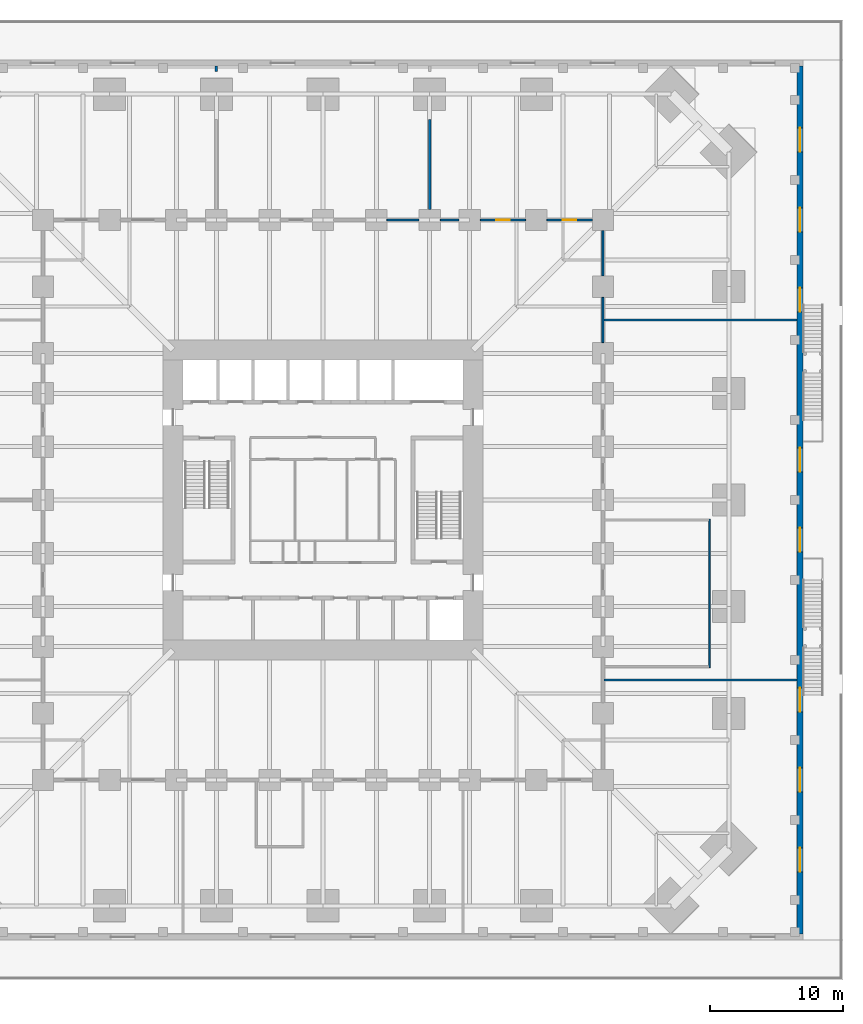
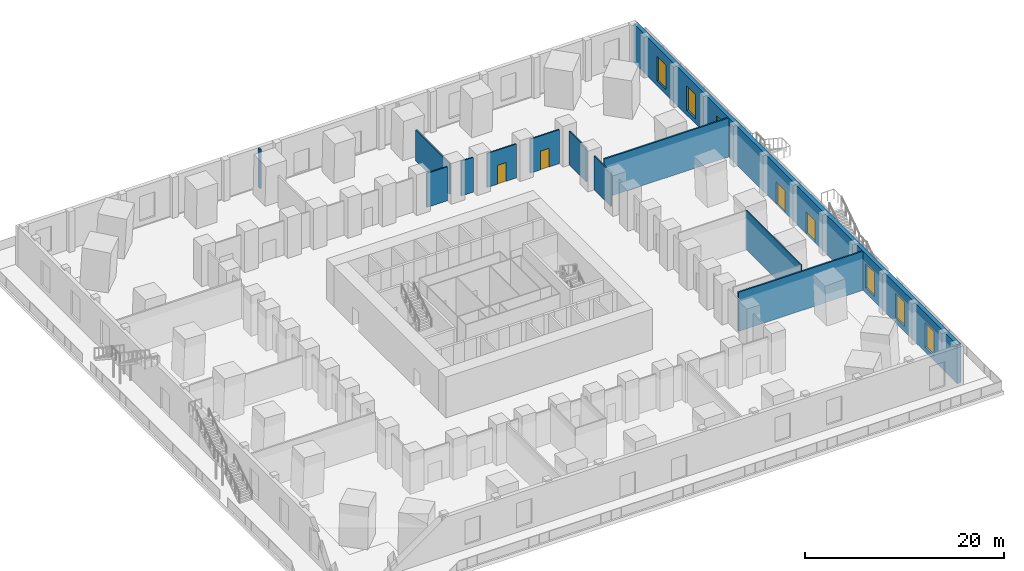
# One storey, part 14 of 20: 12 walls, 6 windows, 4 doors, 10 openings.
"""IFC4 building model written with IfcOpenShell, lengths in metres."""

from ifc_helpers import new_model, si_unit, direction, frame, frame_2d, origin, place, context, subcontext, project, spatial, rectangle, extrude, material, layer, layer_set, type_object, element, fill, save


model = new_model("IFC4")

# Units and contexts
model_context = context("Model", 3, precision=1e-05, world=origin(), true_north=direction((0.0, 1.0)))
body_context = subcontext(model_context, "Body", "Model", "MODEL_VIEW")
ifc_project = project(units=[si_unit("LENGTHUNIT", "METRE"), si_unit("AREAUNIT", "SQUARE_METRE"), si_unit("VOLUMEUNIT", "CUBIC_METRE"), si_unit("PLANEANGLEUNIT", "RADIAN"), si_unit("MASSUNIT", "GRAM", prefix="KILO")], contexts=[model_context])

# Site, building, storey
site_placement = place(None, origin())
site = spatial("IfcSite", under=ifc_project, at=site_placement, CompositionType="ELEMENT")
building_placement = place(site_placement, origin())
building = spatial("IfcBuilding", under=site, at=building_placement, Name="Peilmerk Tower", CompositionType="ELEMENT")
storey_placement = place(building_placement, frame((0.0, 0.0, 11.0)))
storey = spatial("IfcBuildingStorey", under=building, at=storey_placement, Name="L02", CompositionType="ELEMENT", Elevation=11.0)

# Wall, openings, doors, windows
ifc_material_1 = material(Name="Precast concrete C45/55, board-marked finish", Category="concrete")
ifc_layer_1 = layer(ifc_material_1, 0.449951171875)
ifc_layer_set_1 = layer_set([ifc_layer_1], Name="Precast concrete C45/55, board-marked finish")
wall_type_1 = type_object("IfcWallType", Name="EW1 450 precast concrete facade wall, board-marked", PredefinedType="SOLIDWALL", material=ifc_layer_set_1)
wall_1_placement = place(storey_placement, frame((35.77490234375, 32.550048828125, 0.0), z_axis=(0.0, 0.0, 1.0), x_axis=(0.0, -1.0, 0.0)))
wall_1 = element("IfcWall", 1, at=wall_1_placement, inside=storey, type_object=wall_type_1, Name="Facade wall E L02", PredefinedType="SOLIDWALL", context=body_context, shape_type="SweptSolid", body=[
    extrude(rectangle(XDim=65.10009765625, YDim=0.449951171875, at=frame_2d((32.550048828125, 0.0))), origin(), (0.0, 0.0, 1.0), 4.800048828125),
])
opening_1_placement = place(wall_1_placement, frame((4.64990234375, 0.0, 0.60009765625)))
opening_1 = element("IfcOpeningElement", 2, at=opening_1_placement, cuts=wall_1, Name="Opening W7", PredefinedType="OPENING", context=body_context, shape_type="SweptSolid", body=[
    extrude(rectangle(XDim=1.800048828125, YDim=3.0, at=frame_2d((0.89990234375, 1.5))), frame((0.0, 0.23486328125, 0.0), z_axis=(0.0, -1.0, 0.0), x_axis=(1.0, 0.0, 0.0)), (0.0, 0.0, 1.0), 0.469970703125),
])
opening_2_placement = place(wall_1_placement, frame((10.64990234375, 0.0, 0.60009765625)))
opening_2 = element("IfcOpeningElement", 3, at=opening_2_placement, cuts=wall_1, Name="Opening W7", PredefinedType="OPENING", context=body_context, shape_type="SweptSolid", body=[
    extrude(rectangle(XDim=1.800048828125, YDim=3.0, at=frame_2d((0.89990234375, 1.5))), frame((0.0, 0.23486328125, 0.0), z_axis=(0.0, -1.0, 0.0), x_axis=(1.0, 0.0, 0.0)), (0.0, 0.0, 1.0), 0.469970703125),
])
opening_3_placement = place(wall_1_placement, frame((16.64990234375, 0.0, 0.60009765625)))
opening_3 = element("IfcOpeningElement", 4, at=opening_3_placement, cuts=wall_1, Name="Opening W7", PredefinedType="OPENING", context=body_context, shape_type="SweptSolid", body=[
    extrude(rectangle(XDim=1.800048828125, YDim=3.0, at=frame_2d((0.89990234375, 1.5))), frame((0.0, 0.23486328125, 0.0), z_axis=(0.0, -1.0, 0.0), x_axis=(1.0, 0.0, 0.0)), (0.0, 0.0, 1.0), 0.469970703125),
])
opening_4_placement = place(wall_1_placement, frame((46.64990234375, 0.0, 0.60009765625)))
opening_4 = element("IfcOpeningElement", 5, at=opening_4_placement, cuts=wall_1, Name="Opening W7", PredefinedType="OPENING", context=body_context, shape_type="SweptSolid", body=[
    extrude(rectangle(XDim=1.800048828125, YDim=3.0, at=frame_2d((0.89990234375, 1.5))), frame((0.0, 0.23486328125, 0.0), z_axis=(0.0, -1.0, 0.0), x_axis=(1.0, 0.0, 0.0)), (0.0, 0.0, 1.0), 0.469970703125),
])
opening_5_placement = place(wall_1_placement, frame((52.64990234375, 0.0, 0.60009765625)))
opening_5 = element("IfcOpeningElement", 6, at=opening_5_placement, cuts=wall_1, Name="Opening W7", PredefinedType="OPENING", context=body_context, shape_type="SweptSolid", body=[
    extrude(rectangle(XDim=1.800048828125, YDim=3.0, at=frame_2d((0.89990234375, 1.5))), frame((0.0, 0.23486328125, 0.0), z_axis=(0.0, -1.0, 0.0), x_axis=(1.0, 0.0, 0.0)), (0.0, 0.0, 1.0), 0.469970703125),
])
opening_6_placement = place(wall_1_placement, frame((58.64990234375, 0.0, 0.60009765625)))
opening_6 = element("IfcOpeningElement", 7, at=opening_6_placement, cuts=wall_1, Name="Opening W7", PredefinedType="OPENING", context=body_context, shape_type="SweptSolid", body=[
    extrude(rectangle(XDim=1.800048828125, YDim=3.0, at=frame_2d((0.89990234375, 1.5))), frame((0.0, 0.23486328125, 0.0), z_axis=(0.0, -1.0, 0.0), x_axis=(1.0, 0.0, 0.0)), (0.0, 0.0, 1.0), 0.469970703125),
])
opening_7_placement = place(wall_1_placement, frame((28.64990234375, 0.0, 0.0)))
opening_7 = element("IfcOpeningElement", 8, at=opening_7_placement, cuts=wall_1, Name="Opening ED4", PredefinedType="OPENING", context=body_context, shape_type="SweptSolid", body=[
    extrude(rectangle(XDim=1.800048828125, YDim=2.699951171875, at=frame_2d((0.89990234375, 1.35009765625))), frame((0.0, 0.23486328125, 0.0), z_axis=(0.0, -1.0, 0.0), x_axis=(1.0, 0.0, 0.0)), (0.0, 0.0, 1.0), 0.469970703125),
])
opening_8_placement = place(wall_1_placement, frame((34.64990234375, 0.0, 0.0)))
opening_8 = element("IfcOpeningElement", 9, at=opening_8_placement, cuts=wall_1, Name="Opening ED4", PredefinedType="OPENING", context=body_context, shape_type="SweptSolid", body=[
    extrude(rectangle(XDim=1.800048828125, YDim=2.699951171875, at=frame_2d((0.89990234375, 1.35009765625))), frame((0.0, 0.23486328125, 0.0), z_axis=(0.0, -1.0, 0.0), x_axis=(1.0, 0.0, 0.0)), (0.0, 0.0, 1.0), 0.469970703125),
])
ifc_material_2 = material(Name="Aluminium frame, clear glazing", Category="aluminium")
door_type_1 = type_object("IfcDoorType", Name="ED4 1800x2700 terrace door pair, glazed", OperationType="DOUBLE_DOOR_DOUBLE_SWING", PredefinedType="DOOR", material=ifc_material_2)
door_1_placement = place(opening_7_placement, origin())
door_1 = element("IfcDoor", 10, at=door_1_placement, inside=storey, type_object=door_type_1, Name="Terrace door pair, glazed L02", OperationType="DOUBLE_DOOR_DOUBLE_SWING", OverallHeight=2.699951171875, OverallWidth=1.800048828125, PredefinedType="DOOR", context=body_context, shape_type="SweptSolid", body=[
    extrude(rectangle(XDim=1.800048828125, YDim=2.699951171875, at=frame_2d((0.89990234375, 1.35009765625))), frame((0.0, 0.02490234375, 0.0), z_axis=(0.0, -1.0, 0.0), x_axis=(1.0, 0.0, 0.0)), (0.0, 0.0, 1.0), 0.050048828125),
])
fill(opening_7, door_1)
door_2_placement = place(opening_8_placement, origin())
door_2 = element("IfcDoor", 11, at=door_2_placement, inside=storey, type_object=door_type_1, Name="Terrace door pair, glazed L02", OperationType="DOUBLE_DOOR_DOUBLE_SWING", OverallHeight=2.699951171875, OverallWidth=1.800048828125, PredefinedType="DOOR", context=body_context, shape_type="SweptSolid", body=[
    extrude(rectangle(XDim=1.800048828125, YDim=2.699951171875, at=frame_2d((0.89990234375, 1.35009765625))), frame((0.0, 0.02490234375, 0.0), z_axis=(0.0, -1.0, 0.0), x_axis=(1.0, 0.0, 0.0)), (0.0, 0.0, 1.0), 0.050048828125),
])
fill(opening_8, door_2)
ifc_material_3 = material(Name="Aluminium frame, clear double glazing", Category="aluminium")
window_type = type_object("IfcWindowType", Name="W7 1800x3000 podium window", PartitioningType="SINGLE_PANEL", PredefinedType="WINDOW", material=ifc_material_3)
window_1_placement = place(opening_1_placement, origin())
window_1 = element("IfcWindow", 12, at=window_1_placement, inside=storey, type_object=window_type, Name="Window W7 L02", OverallHeight=3.0, OverallWidth=1.800048828125, PartitioningType="SINGLE_PANEL", PredefinedType="WINDOW", context=body_context, shape_type="SweptSolid", body=[
    extrude(rectangle(XDim=1.800048828125, YDim=3.0, at=frame_2d((0.89990234375, 1.5))), frame((0.0, 0.030029296875, 0.0), z_axis=(0.0, -1.0, 0.0), x_axis=(1.0, 0.0, 0.0)), (0.0, 0.0, 1.0), 0.06005859375),
])
fill(opening_1, window_1)
window_2_placement = place(opening_2_placement, origin())
window_2 = element("IfcWindow", 13, at=window_2_placement, inside=storey, type_object=window_type, Name="Window W7 L02", OverallHeight=3.0, OverallWidth=1.800048828125, PartitioningType="SINGLE_PANEL", PredefinedType="WINDOW", context=body_context, shape_type="SweptSolid", body=[
    extrude(rectangle(XDim=1.800048828125, YDim=3.0, at=frame_2d((0.89990234375, 1.5))), frame((0.0, 0.030029296875, 0.0), z_axis=(0.0, -1.0, 0.0), x_axis=(1.0, 0.0, 0.0)), (0.0, 0.0, 1.0), 0.06005859375),
])
fill(opening_2, window_2)
window_3_placement = place(opening_3_placement, origin())
window_3 = element("IfcWindow", 14, at=window_3_placement, inside=storey, type_object=window_type, Name="Window W7 L02", OverallHeight=3.0, OverallWidth=1.800048828125, PartitioningType="SINGLE_PANEL", PredefinedType="WINDOW", context=body_context, shape_type="SweptSolid", body=[
    extrude(rectangle(XDim=1.800048828125, YDim=3.0, at=frame_2d((0.89990234375, 1.5))), frame((0.0, 0.030029296875, 0.0), z_axis=(0.0, -1.0, 0.0), x_axis=(1.0, 0.0, 0.0)), (0.0, 0.0, 1.0), 0.06005859375),
])
fill(opening_3, window_3)
window_4_placement = place(opening_4_placement, origin())
window_4 = element("IfcWindow", 15, at=window_4_placement, inside=storey, type_object=window_type, Name="Window W7 L02", OverallHeight=3.0, OverallWidth=1.800048828125, PartitioningType="SINGLE_PANEL", PredefinedType="WINDOW", context=body_context, shape_type="SweptSolid", body=[
    extrude(rectangle(XDim=1.800048828125, YDim=3.0, at=frame_2d((0.89990234375, 1.5))), frame((0.0, 0.030029296875, 0.0), z_axis=(0.0, -1.0, 0.0), x_axis=(1.0, 0.0, 0.0)), (0.0, 0.0, 1.0), 0.06005859375),
])
fill(opening_4, window_4)
window_5_placement = place(opening_5_placement, origin())
window_5 = element("IfcWindow", 16, at=window_5_placement, inside=storey, type_object=window_type, Name="Window W7 L02", OverallHeight=3.0, OverallWidth=1.800048828125, PartitioningType="SINGLE_PANEL", PredefinedType="WINDOW", context=body_context, shape_type="SweptSolid", body=[
    extrude(rectangle(XDim=1.800048828125, YDim=3.0, at=frame_2d((0.89990234375, 1.5))), frame((0.0, 0.030029296875, 0.0), z_axis=(0.0, -1.0, 0.0), x_axis=(1.0, 0.0, 0.0)), (0.0, 0.0, 1.0), 0.06005859375),
])
fill(opening_5, window_5)
window_6_placement = place(opening_6_placement, origin())
window_6 = element("IfcWindow", 17, at=window_6_placement, inside=storey, type_object=window_type, Name="Window W7 L02", OverallHeight=3.0, OverallWidth=1.800048828125, PartitioningType="SINGLE_PANEL", PredefinedType="WINDOW", context=body_context, shape_type="SweptSolid", body=[
    extrude(rectangle(XDim=1.800048828125, YDim=3.0, at=frame_2d((0.89990234375, 1.5))), frame((0.0, 0.030029296875, 0.0), z_axis=(0.0, -1.0, 0.0), x_axis=(1.0, 0.0, 0.0)), (0.0, 0.0, 1.0), 0.06005859375),
])
fill(opening_6, window_6)

# Walls
ifc_material_4 = material(Name="Calcium silicate block", Category="masonry")
ifc_layer_2 = layer(ifc_material_4, 0.14990234375)
ifc_layer_set_2 = layer_set([ifc_layer_2], Name="Calcium silicate block")
wall_type_2 = type_object("IfcWallType", Name="IW1 150 corridor partition, EI 60", PredefinedType="PARTITIONING", material=ifc_layer_set_2)
wall_2_placement = place(storey_placement, frame((4.800048828125, 21.0, 0.0), z_axis=(0.0, 0.0, 1.0), x_axis=(1.0, 0.0, 0.0)))
element("IfcWall", 18, at=wall_2_placement, inside=storey, type_object=wall_type_2, Name="Corridor wall Ng L02", PredefinedType="PARTITIONING", context=body_context, shape_type="SweptSolid", body=[
    extrude(rectangle(XDim=2.39990234375, YDim=0.14990234375, at=frame_2d((1.199951171875, 0.0))), origin(), (0.0, 0.0, 1.0), 4.179931640625),
])
wall_3_placement = place(storey_placement, frame((8.800048828125, 21.0, 0.0), z_axis=(0.0, 0.0, 1.0), x_axis=(1.0, 0.0, 0.0)))
element("IfcWall", 19, at=wall_3_placement, inside=storey, type_object=wall_type_2, Name="Corridor wall Nh L02", PredefinedType="PARTITIONING", context=body_context, shape_type="SweptSolid", body=[
    extrude(rectangle(XDim=1.39990234375, YDim=0.14990234375, at=frame_2d((0.699951171875, 0.0))), origin(), (0.0, 0.0, 1.0), 4.27587890625),
])

# Wall, opening, door
wall_4_placement = place(storey_placement, frame((11.800048828125, 21.0, 0.0), z_axis=(0.0, 0.0, 1.0), x_axis=(1.0, 0.0, 0.0)))
wall_4 = element("IfcWall", 20, at=wall_4_placement, inside=storey, type_object=wall_type_2, Name="Corridor wall Ni L02", PredefinedType="PARTITIONING", context=body_context, shape_type="SweptSolid", body=[
    extrude(rectangle(XDim=3.39990234375, YDim=0.14990234375, at=frame_2d((1.699951171875, 0.0))), origin(), (0.0, 0.0, 1.0), 4.179931640625),
])
opening_9_placement = place(wall_4_placement, frame((1.199951171875, 0.0, 0.0)))
opening_9 = element("IfcOpeningElement", 21, at=opening_9_placement, cuts=wall_4, Name="Opening D1", PredefinedType="OPENING", context=body_context, shape_type="SweptSolid", body=[
    extrude(rectangle(XDim=1.0, YDim=2.300048828125, at=frame_2d((0.5, 1.14990234375))), frame((0.0, 0.0849609375, 0.0), z_axis=(0.0, -1.0, 0.0), x_axis=(1.0, 0.0, 0.0)), (0.0, 0.0, 1.0), 0.169921875),
])
ifc_material_5 = material(Name="Timber door in steel frame", Category="steel")
door_type_2 = type_object("IfcDoorType", Name="D1 1000x2300 room door, EI2 30", OperationType="SINGLE_SWING_LEFT", PredefinedType="DOOR", material=ifc_material_5)
door_3_placement = place(opening_9_placement, origin())
door_3 = element("IfcDoor", 22, at=door_3_placement, inside=storey, type_object=door_type_2, Name="Door Exhibition room L02", OperationType="SINGLE_SWING_LEFT", OverallHeight=2.300048828125, OverallWidth=1.0, PredefinedType="DOOR", context=body_context, shape_type="SweptSolid", body=[
    extrude(rectangle(XDim=1.0, YDim=2.300048828125, at=frame_2d((0.5, 1.14990234375))), frame((0.0, 0.02490234375, 0.0), z_axis=(0.0, -1.0, 0.0), x_axis=(1.0, 0.0, 0.0)), (0.0, 0.0, 1.0), 0.050048828125),
])
fill(opening_9, door_3)

wall_5_placement = place(storey_placement, frame((16.800048828125, 21.0, 0.0), z_axis=(0.0, 0.0, 1.0), x_axis=(1.0, 0.0, 0.0)))
wall_5 = element("IfcWall", 23, at=wall_5_placement, inside=storey, type_object=wall_type_2, Name="Corridor wall Nj L02", PredefinedType="PARTITIONING", context=body_context, shape_type="SweptSolid", body=[
    extrude(rectangle(XDim=3.39990234375, YDim=0.14990234375, at=frame_2d((1.699951171875, 0.0))), origin(), (0.0, 0.0, 1.0), 4.179931640625),
])
opening_10_placement = place(wall_5_placement, frame((1.199951171875, 0.0, 0.0)))
opening_10 = element("IfcOpeningElement", 24, at=opening_10_placement, cuts=wall_5, Name="Opening D1", PredefinedType="OPENING", context=body_context, shape_type="SweptSolid", body=[
    extrude(rectangle(XDim=1.0, YDim=2.300048828125, at=frame_2d((0.5, 1.14990234375))), frame((0.0, 0.0849609375, 0.0), z_axis=(0.0, -1.0, 0.0), x_axis=(1.0, 0.0, 0.0)), (0.0, 0.0, 1.0), 0.169921875),
])
door_4_placement = place(opening_10_placement, origin())
door_4 = element("IfcDoor", 25, at=door_4_placement, inside=storey, type_object=door_type_2, Name="Door Exhibition room L02", OperationType="SINGLE_SWING_LEFT", OverallHeight=2.300048828125, OverallWidth=1.0, PredefinedType="DOOR", context=body_context, shape_type="SweptSolid", body=[
    extrude(rectangle(XDim=1.0, YDim=2.300048828125, at=frame_2d((0.5, 1.14990234375))), frame((0.0, 0.02490234375, 0.0), z_axis=(0.0, -1.0, 0.0), x_axis=(1.0, 0.0, 0.0)), (0.0, 0.0, 1.0), 0.050048828125),
])
fill(opening_10, door_4)

# Walls
for number, where, z_axis, x_axis, name in (
    (26, (21.0, 11.800048828125, 0.0), (0.0, 0.0, 1.0), (0.0, 1.0, 0.0), "Corridor wall Ei L02"),
    (27, (21.0, 16.800048828125, 0.0), (0.0, 0.0, 1.0), (0.0, 1.0, 0.0), "Corridor wall Ej L02"),
):
    element("IfcWall", number, at=place(storey_placement, frame(where, z_axis=z_axis, x_axis=x_axis)), inside=storey, type_object=wall_type_2, Name=name, PredefinedType="PARTITIONING", context=body_context, shape_type="SweptSolid", body=[
        extrude(rectangle(XDim=3.39990234375, YDim=0.14990234375, at=frame_2d((1.699951171875, 0.0))), origin(), (0.0, 0.0, 1.0), 4.179931640625),
    ])
ifc_material_6 = material(Name="Plasterboard on steel studs, double boarded with mineral wool", Category="steel")
ifc_layer_3 = layer(ifc_material_6, 0.125)
ifc_layer_set_3 = layer_set([ifc_layer_3], Name="Plasterboard on steel studs, double boarded with mineral wool")
wall_type_3 = type_object("IfcWallType", Name="IW7 125 acoustic partition, EI 30", PredefinedType="PARTITIONING", material=ifc_layer_set_3)
wall_6_placement = place(storey_placement, frame((29.0, -12.5625, 0.0), z_axis=(0.0, 0.0, 1.0), x_axis=(0.0, 1.0, 0.0)))
element("IfcWall", 28, at=wall_6_placement, inside=storey, type_object=wall_type_3, Name="Acoustic partition Training room L02", PredefinedType="PARTITIONING", context=body_context, shape_type="SweptSolid", body=[
    extrude(rectangle(XDim=11.125, YDim=0.125, at=frame_2d((5.5625, 0.0))), origin(), (0.0, 0.0, 1.0), 4.800048828125),
])
ifc_layer_4 = layer(ifc_material_4, 0.175048828125)
ifc_layer_set_4 = layer_set([ifc_layer_4], Name="Calcium silicate block")
wall_type_4 = type_object("IfcWallType", Name="IW8 175 tenant separating wall, EI 60", PredefinedType="PARTITIONING", material=ifc_layer_set_4)
for number, where, z_axis, x_axis, name in (
    (29, (21.074951171875, 13.5, 0.0), (0.0, 0.0, 1.0), (1.0, 0.0, 0.0), "Tenant separating wall NE L02"),
    (30, (35.550048828125, -13.5, 0.0), (0.0, 0.0, 1.0), (-1.0, 0.0, 0.0), "Tenant separating wall SE L02"),
):
    element("IfcWall", number, at=place(storey_placement, frame(where, z_axis=z_axis, x_axis=x_axis)), inside=storey, type_object=wall_type_4, Name=name, PredefinedType="PARTITIONING", context=body_context, shape_type="SweptSolid", body=[
        extrude(rectangle(XDim=14.47509765625, YDim=0.175048828125, at=frame_2d((7.237548828125, 0.0))), origin(), (0.0, 0.0, 1.0), 4.800048828125),
    ])
wall_7_placement = place(storey_placement, frame((-8.0, 32.150390625, 0.0), z_axis=(0.0, 0.0, 1.0), x_axis=(0.0, 1.0, 0.0)))
element("IfcWall", 31, at=wall_7_placement, inside=storey, type_object=wall_type_4, Name="Tenant separating wall N1b L02", PredefinedType="PARTITIONING", context=body_context, shape_type="SweptSolid", body=[
    extrude(rectangle(XDim=0.399658203125, YDim=0.175048828125, at=frame_2d((0.19970703125, 0.0))), origin(), (0.0, 0.0, 1.0), 4.800048828125),
])
wall_8_placement = place(storey_placement, frame((8.0, 21.800048828125, 0.0), z_axis=(0.0, 0.0, 1.0), x_axis=(0.0, 1.0, 0.0)))
element("IfcWall", 32, at=wall_8_placement, inside=storey, type_object=wall_type_4, Name="Tenant separating wall N2 L02", PredefinedType="PARTITIONING", context=body_context, shape_type="SweptSolid", body=[
    extrude(rectangle(XDim=6.75439453125, YDim=0.175048828125, at=frame_2d((3.377197265625, 0.0))), origin(), (0.0, 0.0, 1.0), 3.81005859375),
])

save(model, "model.ifc")
